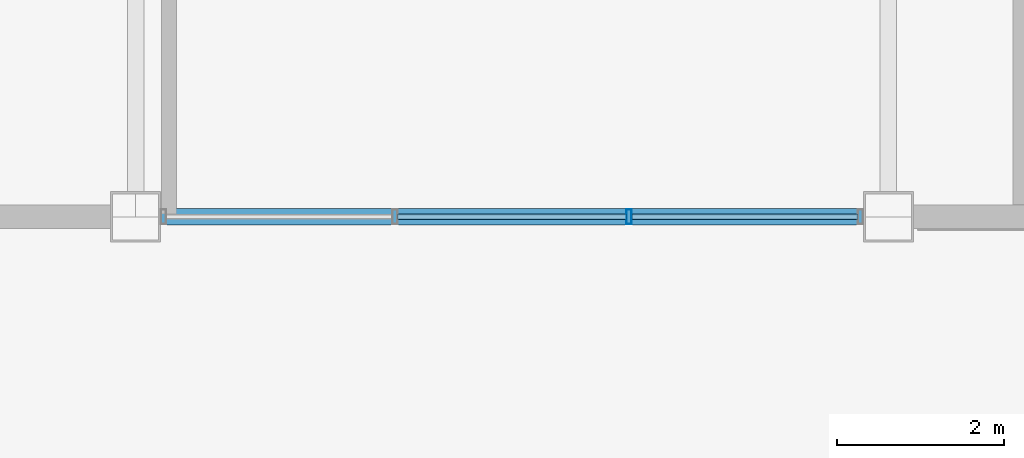
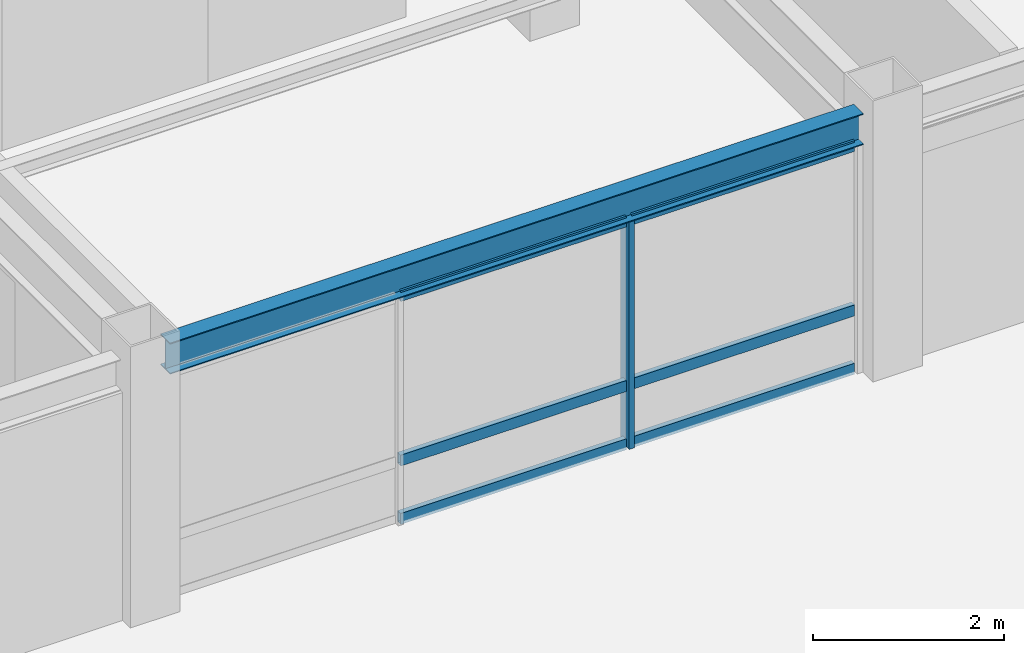
# One storey, part 28 of 43: 7 members, 1 beam, 1 element without a shape of its own.
"""IFC4 building model written with IfcOpenShell, lengths in metres."""

from ifc_helpers import new_model, si_unit, direction, frame, origin, origin_2d, place, context, subcontext, project, spatial, hollow_rectangle, i_section, extrude, material, material_profile, profile_set, type_object, element, aggregate, save


model = new_model("IFC4")

# Units and contexts
model_context = context("Model", 3, precision=1e-05, world=origin(), true_north=direction((0.0, 1.0)))
body_context = subcontext(model_context, "Body", "Model", "MODEL_VIEW")
ifc_project = project(units=[si_unit("LENGTHUNIT", "METRE"), si_unit("AREAUNIT", "SQUARE_METRE"), si_unit("VOLUMEUNIT", "CUBIC_METRE"), si_unit("PLANEANGLEUNIT", "RADIAN"), si_unit("MASSUNIT", "GRAM", prefix="KILO")], contexts=[model_context])

# Site, building, storey
site_placement = place(None, origin())
site = spatial("IfcSite", under=ifc_project, at=site_placement, CompositionType="ELEMENT")
building_placement = place(site_placement, origin())
building = spatial("IfcBuilding", under=site, at=building_placement, Name="Kazanami Central Library", CompositionType="ELEMENT")
storey_placement = place(building_placement, frame((0.0, 0.0, 20.60009765625)))
storey = spatial("IfcBuildingStorey", under=building, at=storey_placement, Name="L06", CompositionType="ELEMENT", Elevation=20.60009765625)

# Beam
ifc_material_1 = material(Name="Steel SN490B (325 MPa)", Category="steel")
ifc_material_profile_1 = material_profile(ifc_material_1, i_section(OverallWidth=0.199951171875, OverallDepth=0.39990234375, WebThickness=0.008056640625, FlangeThickness=0.012939453125, at=origin_2d()), Name="H-400x200x8x13")
ifc_profile_set_1 = profile_set([ifc_material_profile_1], Name="Steel SN490B (325 MPa)")
beam_type = type_object("IfcBeamType", Name="BM-SP-3", PredefinedType="SPANDREL", material=ifc_profile_set_1)
beam_placement = place(storey_placement, frame((135.298095703125, 57.60009765625, 3.119873046875), z_axis=(1.0, 0.0, 0.0), x_axis=(0.0, 1.0, 0.0)))
element("IfcBeam", 1, at=beam_placement, inside=storey, type_object=beam_type, Name="Girder SP-3 L06 J/16-17", PredefinedType="SPANDREL", context=body_context, shape_type="SweptSolid", body=[
    extrude(i_section(OverallWidth=0.199951171875, OverallDepth=0.39990234375, WebThickness=0.008056640625, FlangeThickness=0.012939453125, at=origin_2d()), origin(), (0.0, 0.0, 1.0), 8.40380859375),
])

# Curtain wall, members
ifc_material_2 = material(Name="Acid-Etched Low-E Laminated Glass", Category="glass")
curtain_wall_type = type_object("IfcCurtainWallType", Name="CW-8400x2920-M275", PredefinedType="USERDEFINED", material=ifc_material_2)
curtain_wall_placement = place(storey_placement, origin())
curtain_wall = element("IfcCurtainWall", 2, at=curtain_wall_placement, inside=storey, type_object=curtain_wall_type, Name="Unitised Curtain Wall CW-55 L06 S-J-15", ObjectType="UNITISED CURTAIN WALL", PredefinedType="USERDEFINED")
ifc_material_3 = material(Name="Anodised Aluminium A6063-T5", Category="aluminium")
ifc_material_profile_2 = material_profile(ifc_material_3, hollow_rectangle(XDim=0.06494140625, YDim=0.179931640625, WallThickness=0.00390625, at=origin_2d()), Name="ALU-MULL-65x180x4")
ifc_profile_set_2 = profile_set([ifc_material_profile_2], Name="Anodised Aluminium A6063-T5")
member_type_1 = type_object("IfcMemberType", Name="MEM-CW-M2", PredefinedType="MULLION", material=ifc_profile_set_2)
member_1_placement = place(storey_placement, frame((140.89990234375, 57.60009765625, 0.0), z_axis=(0.0, 0.0, 1.0), x_axis=(1.0, 0.0, 0.0)))
member_1 = element("IfcMember", 3, at=member_1_placement, type_object=member_type_1, Name="CW-55 mullion 3", PredefinedType="MULLION", context=body_context, shape_type="SweptSolid", body=[
    extrude(hollow_rectangle(XDim=0.06494140625, YDim=0.179931640625, WallThickness=0.00390625, at=origin_2d()), origin(), (0.0, 0.0, 1.0), 2.919921875),
])
ifc_material_profile_3 = material_profile(ifc_material_3, hollow_rectangle(XDim=0.06494140625, YDim=0.139892578125, WallThickness=0.00390625, at=origin_2d()), Name="ALU-TRAN-65x140x4")
ifc_profile_set_3 = profile_set([ifc_material_profile_3], Name="Anodised Aluminium A6063-T5")
member_type_2 = type_object("IfcMemberType", Name="MEM-CW-T2", PredefinedType="USERDEFINED", material=ifc_profile_set_3)
member_2_placement = place(storey_placement, frame((138.132568359375, 57.60009765625, 0.032470703125), z_axis=(1.0, 0.0, 0.0), x_axis=(0.0, 1.0, 0.0)))
member_2 = element("IfcMember", 4, at=member_2_placement, type_object=member_type_2, Name="CW-55 transom 2.1", ObjectType="TRANSOM", PredefinedType="USERDEFINED", context=body_context, shape_type="SweptSolid", body=[
    extrude(hollow_rectangle(XDim=0.06494140625, YDim=0.139892578125, WallThickness=0.00390625, at=origin_2d()), origin(), (0.0, 0.0, 1.0), 2.73486328125),
])
member_3_placement = place(storey_placement, frame((138.132568359375, 57.60009765625, 0.77978515625), z_axis=(1.0, 0.0, 0.0), x_axis=(0.0, 1.0, 0.0)))
member_3 = element("IfcMember", 5, at=member_3_placement, type_object=member_type_2, Name="CW-55 transom 2.2", ObjectType="TRANSOM", PredefinedType="USERDEFINED", context=body_context, shape_type="SweptSolid", body=[
    extrude(hollow_rectangle(XDim=0.06494140625, YDim=0.139892578125, WallThickness=0.00390625, at=origin_2d()), origin(), (0.0, 0.0, 1.0), 2.73486328125),
])
member_4_placement = place(storey_placement, frame((138.132568359375, 57.60009765625, 2.887451171875), z_axis=(1.0, 0.0, 0.0), x_axis=(0.0, 1.0, 0.0)))
member_4 = element("IfcMember", 6, at=member_4_placement, type_object=member_type_2, Name="CW-55 transom 2.3", ObjectType="TRANSOM", PredefinedType="USERDEFINED", context=body_context, shape_type="SweptSolid", body=[
    extrude(hollow_rectangle(XDim=0.06494140625, YDim=0.139892578125, WallThickness=0.00390625, at=origin_2d()), origin(), (0.0, 0.0, 1.0), 2.73486328125),
])
member_5_placement = place(storey_placement, frame((140.9326171875, 57.60009765625, 0.032470703125), z_axis=(1.0, 0.0, 0.0), x_axis=(0.0, 1.0, 0.0)))
member_5 = element("IfcMember", 7, at=member_5_placement, type_object=member_type_2, Name="CW-55 transom 3.1", ObjectType="TRANSOM", PredefinedType="USERDEFINED", context=body_context, shape_type="SweptSolid", body=[
    extrude(hollow_rectangle(XDim=0.06494140625, YDim=0.139892578125, WallThickness=0.00390625, at=origin_2d()), origin(), (0.0, 0.0, 1.0), 2.702392578125),
])
member_6_placement = place(storey_placement, frame((140.9326171875, 57.60009765625, 0.77978515625), z_axis=(1.0, 0.0, 0.0), x_axis=(0.0, 1.0, 0.0)))
member_6 = element("IfcMember", 8, at=member_6_placement, type_object=member_type_2, Name="CW-55 transom 3.2", ObjectType="TRANSOM", PredefinedType="USERDEFINED", context=body_context, shape_type="SweptSolid", body=[
    extrude(hollow_rectangle(XDim=0.06494140625, YDim=0.139892578125, WallThickness=0.00390625, at=origin_2d()), origin(), (0.0, 0.0, 1.0), 2.702392578125),
])
member_7_placement = place(storey_placement, frame((140.9326171875, 57.60009765625, 2.887451171875), z_axis=(1.0, 0.0, 0.0), x_axis=(0.0, 1.0, 0.0)))
member_7 = element("IfcMember", 9, at=member_7_placement, type_object=member_type_2, Name="CW-55 transom 3.3", ObjectType="TRANSOM", PredefinedType="USERDEFINED", context=body_context, shape_type="SweptSolid", body=[
    extrude(hollow_rectangle(XDim=0.06494140625, YDim=0.139892578125, WallThickness=0.00390625, at=origin_2d()), origin(), (0.0, 0.0, 1.0), 2.702392578125),
])
aggregate(curtain_wall, [member_1, member_2, member_3, member_4, member_5, member_6, member_7])

save(model, "model.ifc")
